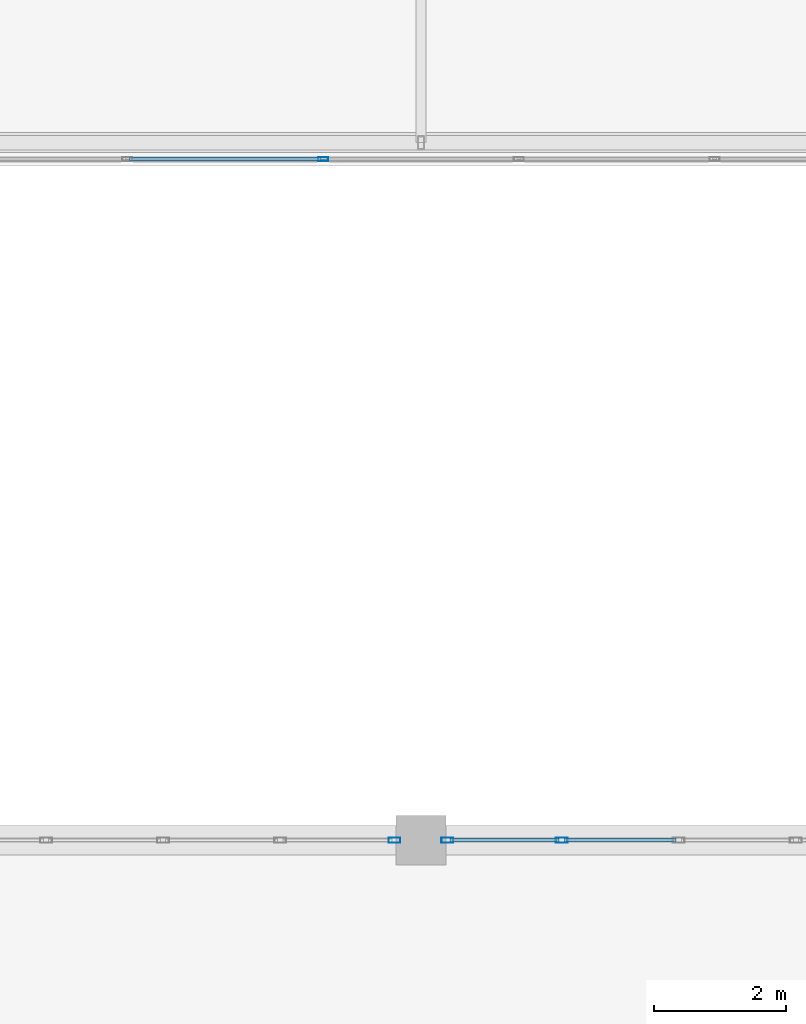
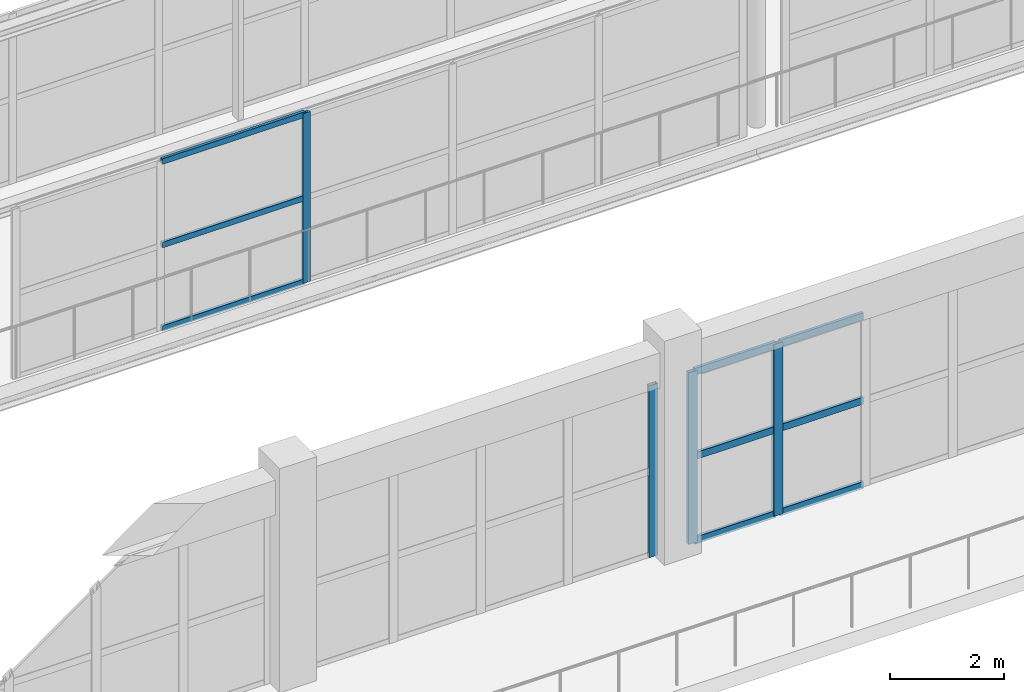
# One storey, part 47 of 175: 13 members, 3 elements without a shape of their own.
"""IFC4 building model written with IfcOpenShell, lengths in metres."""

from ifc_helpers import new_model, si_unit, direction, frame, origin, origin_2d, place, context, subcontext, project, spatial, hollow_rectangle, extrude, material, layer, layer_set, material_profile, profile_set, type_object, element, aggregate, save


model = new_model("IFC4")

# Units and contexts
model_context = context("Model", 3, precision=1e-05, world=origin(), true_north=direction((0.0, 1.0)))
body_context = subcontext(model_context, "Body", "Model", "MODEL_VIEW")
ifc_project = project(units=[si_unit("LENGTHUNIT", "METRE"), si_unit("AREAUNIT", "SQUARE_METRE"), si_unit("VOLUMEUNIT", "CUBIC_METRE"), si_unit("PLANEANGLEUNIT", "RADIAN"), si_unit("MASSUNIT", "GRAM", prefix="KILO")], contexts=[model_context])

# Site, building, storey
site_placement = place(None, origin())
site = spatial("IfcSite", under=ifc_project, at=site_placement, CompositionType="ELEMENT")
building_placement = place(site_placement, origin())
building = spatial("IfcBuilding", under=site, at=building_placement, Name="Zizhar Promenade General Hospital", CompositionType="ELEMENT")
storey_placement = place(building_placement, frame((0.0, 0.0, 4.800048828125)))
storey = spatial("IfcBuildingStorey", under=building, at=storey_placement, Name="L01", CompositionType="ELEMENT", Elevation=4.800048828125)

# Curtain wall, member
ifc_material_1 = material(Name="Anodised aluminium 6063-T6 and low-E glass", Category="aluminium")
ifc_layer_1 = layer(ifc_material_1, 0.159912109375)
ifc_layer_set_1 = layer_set([ifc_layer_1], Name="Anodised aluminium 6063-T6 and low-E glass")
curtain_wall_type_1 = type_object("IfcCurtainWallType", Name="CW-SKY-GLZ", PredefinedType="NOTDEFINED", material=ifc_layer_set_1)
curtain_wall_1_placement = place(storey_placement, origin())
curtain_wall_1 = element("IfcCurtainWall", 1, at=curtain_wall_1_placement, inside=storey, type_object=curtain_wall_type_1, Name="Courtyard Clinical Skybridge Level L01 South Glazing 2", PredefinedType="NOTDEFINED")
ifc_material_2 = material(Name="Anodised aluminium 6063-T6", Category="aluminium")
ifc_material_profile_1 = material_profile(ifc_material_2, hollow_rectangle(XDim=0.06005859375, YDim=0.14990234375, WallThickness=0.00390625, at=origin_2d()))
ifc_profile_set_1 = profile_set([ifc_material_profile_1], Name="Anodised aluminium 6063-T6")
member_type_1 = type_object("IfcMemberType", Name="CWM-ALU-150x60", PredefinedType="MULLION", material=ifc_profile_set_1)
member_1_placement = place(storey_placement, frame((92.1201171875, 60.699951171875, 0.0), z_axis=(0.0, 0.0, 1.0), x_axis=(0.0, -1.0, 0.0)))
member_1 = element("IfcMember", 2, at=member_1_placement, type_object=member_type_1, Name="CW-15 mullion 4", PredefinedType="MULLION", context=body_context, shape_type="SweptSolid", body=[
    extrude(hollow_rectangle(XDim=0.06005859375, YDim=0.14990234375, WallThickness=0.00390625, at=origin_2d()), origin(), (0.0, 0.0, 1.0), 3.639892578125),
])

ifc_material_3 = material(Name="Anodised aluminium 6063-T6 and low-E glass", Category="aluminium")
ifc_layer_2 = layer(ifc_material_3, 0.159912109375)
ifc_layer_set_2 = layer_set([ifc_layer_2], Name="Anodised aluminium 6063-T6 and low-E glass")
curtain_wall_type_2 = type_object("IfcCurtainWallType", Name="CW-HALL-N", PredefinedType="NOTDEFINED", material=ifc_layer_set_2)
curtain_wall_2_placement = place(storey_placement, origin())
curtain_wall_2 = element("IfcCurtainWall", 3, at=curtain_wall_2_placement, inside=storey, type_object=curtain_wall_type_2, Name="Main Hall Courtyard Curtain Wall L01-11", PredefinedType="NOTDEFINED")
ifc_material_4 = material(Name="Anodised aluminium 6063-T6", Category="aluminium")
ifc_material_profile_2 = material_profile(ifc_material_4, hollow_rectangle(XDim=0.080078125, YDim=0.179931640625, WallThickness=0.0048828125, at=origin_2d()))
ifc_profile_set_2 = profile_set([ifc_material_profile_2], Name="Anodised aluminium 6063-T6")
member_type_2 = type_object("IfcMemberType", Name="CWM-ALU-180x80", PredefinedType="MULLION", material=ifc_profile_set_2)
member_2_placement = place(storey_placement, frame((93.199951171875, 50.39990234375, 0.0), z_axis=(0.0, 0.0, 1.0), x_axis=(0.0, 1.0, 0.0)))
member_2 = element("IfcMember", 4, at=member_2_placement, type_object=member_type_2, Name="CW-02 mullion 5", PredefinedType="MULLION", context=body_context, shape_type="SweptSolid", body=[
    extrude(hollow_rectangle(XDim=0.080078125, YDim=0.179931640625, WallThickness=0.0048828125, at=origin_2d()), origin(), (0.0, 0.0, 1.0), 3.679931640625),
])
aggregate(curtain_wall_2, [member_2])

# Curtain wall, members
curtain_wall_3_placement = place(storey_placement, origin())
curtain_wall_3 = element("IfcCurtainWall", 5, at=curtain_wall_3_placement, inside=storey, type_object=curtain_wall_type_2, Name="Main Hall Courtyard Curtain Wall L01-12", PredefinedType="NOTDEFINED")
member_3_placement = place(storey_placement, frame((94.0, 50.39990234375, 0.0), z_axis=(0.0, 0.0, 1.0), x_axis=(0.0, 1.0, 0.0)))
member_3 = element("IfcMember", 6, at=member_3_placement, type_object=member_type_2, Name="CW-02 mullion 1", PredefinedType="MULLION", context=body_context, shape_type="SweptSolid", body=[
    extrude(hollow_rectangle(XDim=0.080078125, YDim=0.179931640625, WallThickness=0.0048828125, at=origin_2d()), origin(), (0.0, 0.0, 1.0), 3.679931640625),
])
member_4_placement = place(storey_placement, frame((95.72998046875, 50.39990234375, 0.0), z_axis=(0.0, 0.0, 1.0), x_axis=(0.0, 1.0, 0.0)))
member_4 = element("IfcMember", 7, at=member_4_placement, type_object=member_type_2, Name="CW-02 mullion 2", PredefinedType="MULLION", context=body_context, shape_type="SweptSolid", body=[
    extrude(hollow_rectangle(XDim=0.080078125, YDim=0.179931640625, WallThickness=0.0048828125, at=origin_2d()), origin(), (0.0, 0.0, 1.0), 3.679931640625),
])

# Member
ifc_material_5 = material(Name="Anodised aluminium 6063-T6", Category="aluminium")
ifc_material_profile_3 = material_profile(ifc_material_5, hollow_rectangle(XDim=0.06005859375, YDim=0.1201171875, WallThickness=0.00390625, at=origin_2d()))
ifc_profile_set_3 = profile_set([ifc_material_profile_3], Name="Anodised aluminium 6063-T6")
member_type_3 = type_object("IfcMemberType", Name="CWT-ALU-120x60", PredefinedType="USERDEFINED", material=ifc_profile_set_3)
member_5_placement = place(storey_placement, frame((92.090087890625, 60.699951171875, 0.030029296875), z_axis=(-1.0, 0.0, 0.0), x_axis=(0.0, -1.0, 0.0)))
member_5 = element("IfcMember", 8, at=member_5_placement, type_object=member_type_3, Name="CW-15 transom 4.1", ObjectType="TRANSOM", PredefinedType="USERDEFINED", context=body_context, shape_type="SweptSolid", body=[
    extrude(hollow_rectangle(XDim=0.06005859375, YDim=0.1201171875, WallThickness=0.00390625, at=origin_2d()), origin(), (0.0, 0.0, 1.0), 2.900146484375),
])

member_6_placement = place(storey_placement, frame((92.090087890625, 60.699951171875, 1.820068359375), z_axis=(-1.0, 0.0, 0.0), x_axis=(0.0, -1.0, 0.0)))
member_6 = element("IfcMember", 9, at=member_6_placement, type_object=member_type_3, Name="CW-15 transom 4.2", ObjectType="TRANSOM", PredefinedType="USERDEFINED", context=body_context, shape_type="SweptSolid", body=[
    extrude(hollow_rectangle(XDim=0.06005859375, YDim=0.1201171875, WallThickness=0.00390625, at=origin_2d()), origin(), (0.0, 0.0, 1.0), 2.900146484375),
])

member_7_placement = place(storey_placement, frame((92.090087890625, 60.699951171875, 3.60986328125), z_axis=(-1.0, 0.0, 0.0), x_axis=(0.0, -1.0, 0.0)))
member_7 = element("IfcMember", 10, at=member_7_placement, type_object=member_type_3, Name="CW-15 transom 4.3", ObjectType="TRANSOM", PredefinedType="USERDEFINED", context=body_context, shape_type="SweptSolid", body=[
    extrude(hollow_rectangle(XDim=0.06005859375, YDim=0.1201171875, WallThickness=0.00390625, at=origin_2d()), origin(), (0.0, 0.0, 1.0), 2.900146484375),
])

aggregate(curtain_wall_1, [member_1, member_5, member_6, member_7])

ifc_material_6 = material(Name="Anodised aluminium 6063-T6", Category="aluminium")
ifc_material_profile_4 = material_profile(ifc_material_6, hollow_rectangle(XDim=0.06005859375, YDim=0.14990234375, WallThickness=0.00390625, at=origin_2d()))
ifc_profile_set_4 = profile_set([ifc_material_profile_4], Name="Anodised aluminium 6063-T6")
member_type_4 = type_object("IfcMemberType", Name="CWT-ALU-150x60", PredefinedType="USERDEFINED", material=ifc_profile_set_4)
member_8_placement = place(storey_placement, frame((94.0400390625, 50.39990234375, 0.030029296875), z_axis=(1.0, 0.0, 0.0), x_axis=(0.0, 1.0, 0.0)))
member_8 = element("IfcMember", 11, at=member_8_placement, type_object=member_type_4, Name="CW-02 transom 1.1", ObjectType="TRANSOM", PredefinedType="USERDEFINED", context=body_context, shape_type="SweptSolid", body=[
    extrude(hollow_rectangle(XDim=0.06005859375, YDim=0.14990234375, WallThickness=0.00390625, at=origin_2d()), origin(), (0.0, 0.0, 1.0), 1.64990234375),
])

member_9_placement = place(storey_placement, frame((94.0400390625, 50.39990234375, 1.83984375), z_axis=(1.0, 0.0, 0.0), x_axis=(0.0, 1.0, 0.0)))
member_9 = element("IfcMember", 12, at=member_9_placement, type_object=member_type_4, Name="CW-02 transom 1.2", ObjectType="TRANSOM", PredefinedType="USERDEFINED", context=body_context, shape_type="SweptSolid", body=[
    extrude(hollow_rectangle(XDim=0.06005859375, YDim=0.14990234375, WallThickness=0.00390625, at=origin_2d()), origin(), (0.0, 0.0, 1.0), 1.64990234375),
])

member_10_placement = place(storey_placement, frame((94.0400390625, 50.39990234375, 3.64990234375), z_axis=(1.0, 0.0, 0.0), x_axis=(0.0, 1.0, 0.0)))
member_10 = element("IfcMember", 13, at=member_10_placement, type_object=member_type_4, Name="CW-02 transom 1.3", ObjectType="TRANSOM", PredefinedType="USERDEFINED", context=body_context, shape_type="SweptSolid", body=[
    extrude(hollow_rectangle(XDim=0.06005859375, YDim=0.14990234375, WallThickness=0.00390625, at=origin_2d()), origin(), (0.0, 0.0, 1.0), 1.64990234375),
])

member_11_placement = place(storey_placement, frame((95.77001953125, 50.39990234375, 0.030029296875), z_axis=(1.0, 0.0, 0.0), x_axis=(0.0, 1.0, 0.0)))
member_11 = element("IfcMember", 14, at=member_11_placement, type_object=member_type_4, Name="CW-02 transom 2.1", ObjectType="TRANSOM", PredefinedType="USERDEFINED", context=body_context, shape_type="SweptSolid", body=[
    extrude(hollow_rectangle(XDim=0.06005859375, YDim=0.14990234375, WallThickness=0.00390625, at=origin_2d()), origin(), (0.0, 0.0, 1.0), 1.68994140625),
])

member_12_placement = place(storey_placement, frame((95.77001953125, 50.39990234375, 1.83984375), z_axis=(1.0, 0.0, 0.0), x_axis=(0.0, 1.0, 0.0)))
member_12 = element("IfcMember", 15, at=member_12_placement, type_object=member_type_4, Name="CW-02 transom 2.2", ObjectType="TRANSOM", PredefinedType="USERDEFINED", context=body_context, shape_type="SweptSolid", body=[
    extrude(hollow_rectangle(XDim=0.06005859375, YDim=0.14990234375, WallThickness=0.00390625, at=origin_2d()), origin(), (0.0, 0.0, 1.0), 1.68994140625),
])

member_13_placement = place(storey_placement, frame((95.77001953125, 50.39990234375, 3.64990234375), z_axis=(1.0, 0.0, 0.0), x_axis=(0.0, 1.0, 0.0)))
member_13 = element("IfcMember", 16, at=member_13_placement, type_object=member_type_4, Name="CW-02 transom 2.3", ObjectType="TRANSOM", PredefinedType="USERDEFINED", context=body_context, shape_type="SweptSolid", body=[
    extrude(hollow_rectangle(XDim=0.06005859375, YDim=0.14990234375, WallThickness=0.00390625, at=origin_2d()), origin(), (0.0, 0.0, 1.0), 1.68994140625),
])

aggregate(curtain_wall_3, [member_3, member_4, member_8, member_9, member_10, member_11, member_12, member_13])

save(model, "model.ifc")
